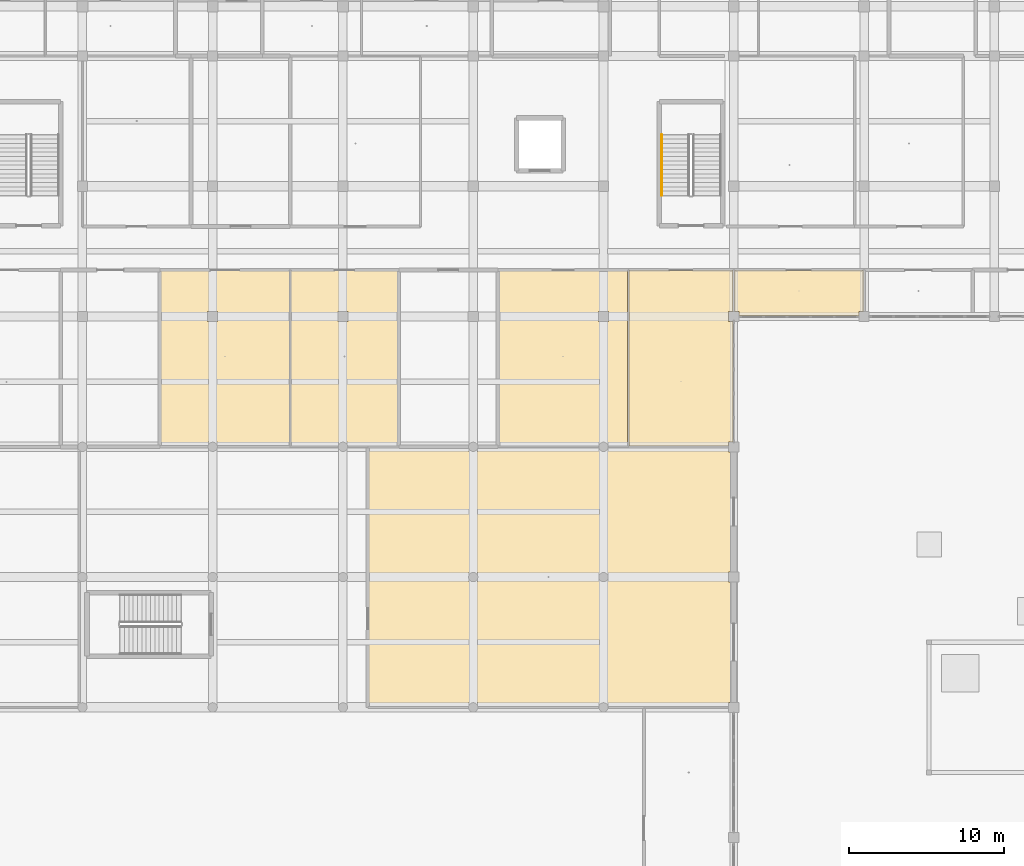
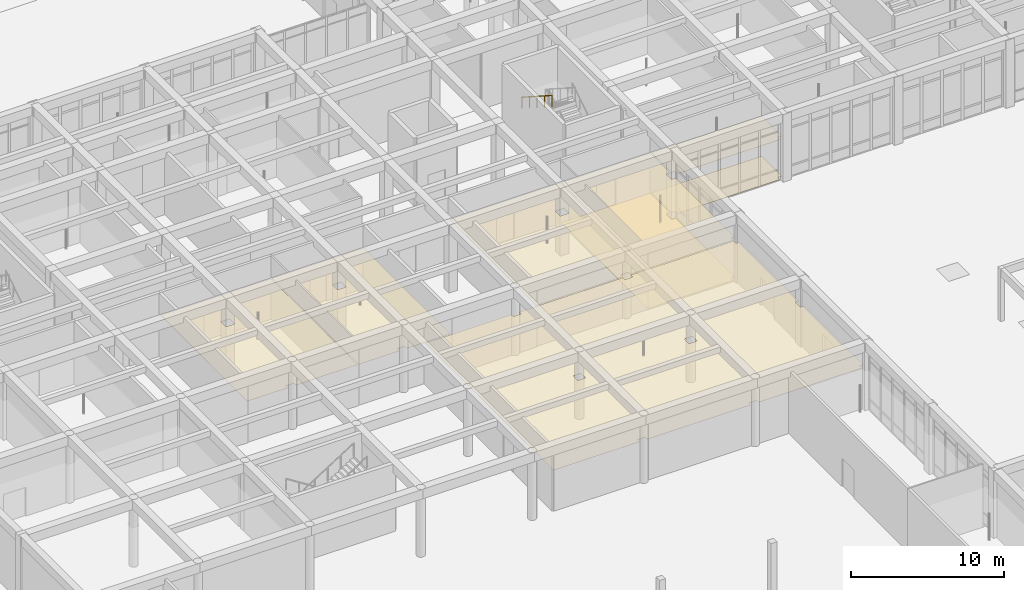
# One storey, part 154 of 167: 8 coverings, 1 railing.
"""IFC4 building model written with IfcOpenShell, lengths in metres."""

from ifc_helpers import new_model, si_unit, direction, frame, origin, origin_2d, place, context, subcontext, project, spatial, polyline, circle, outline, extrude, material, layer, layer_set, type_object, element, save


model = new_model("IFC4")

# Units and contexts
model_context = context("Model", 3, precision=1e-05, world=origin(), true_north=direction((0.0, 1.0)))
body_context = subcontext(model_context, "Body", "Model", "MODEL_VIEW")
ifc_project = project(units=[si_unit("LENGTHUNIT", "METRE"), si_unit("AREAUNIT", "SQUARE_METRE"), si_unit("VOLUMEUNIT", "CUBIC_METRE"), si_unit("PLANEANGLEUNIT", "RADIAN"), si_unit("MASSUNIT", "GRAM", prefix="KILO")], contexts=[model_context])

# Site, building, storey
site_placement = place(None, origin())
site = spatial("IfcSite", under=ifc_project, at=site_placement, CompositionType="ELEMENT")
building_placement = place(site_placement, origin())
building = spatial("IfcBuilding", under=site, at=building_placement, Name="Varncliffe General Hospital", CompositionType="ELEMENT")
storey_placement = place(building_placement, origin())
storey = spatial("IfcBuildingStorey", under=building, at=storey_placement, Name="L00", CompositionType="ELEMENT", Elevation=0.0)

# Coverings
ifc_material_1 = material(Name="Hygienic antimicrobial acoustic suspended ceiling tile", Category="gypsum")
ifc_layer_1 = layer(ifc_material_1, 0.02490234375)
ifc_layer_set_1 = layer_set([ifc_layer_1], Name="Hygienic antimicrobial acoustic suspended ceiling tile")
covering_type_1 = type_object("IfcCoveringType", Name="Antimicrobial Acoustic Suspended Ceiling CLG44", PredefinedType="CEILING", material=ifc_layer_set_1)
covering_1_placement = place(storey_placement, frame((0.0, 0.0, 3.175048828125)))
element("IfcCovering", 1, at=covering_1_placement, inside=storey, type_object=covering_type_1, Name="L00 Winter-Garden Outpatient Waiting Concourse Suspended Ceiling", PredefinedType="CEILING", context=body_context, shape_type="SweptSolid", body=[
    extrude(outline(polyline([(108.89990234375, 74.360107421875), (108.89990234375, 74.10009765625), (109.5, 74.10009765625), (109.5, 74.360107421875), (117.27490234375, 74.360107421875), (117.27490234375, 74.074951171875), (117.56005859375, 74.074951171875), (117.56005859375, 66.324951171875), (117.27490234375, 66.324951171875), (117.27490234375, 65.675048828125), (117.56005859375, 65.675048828125), (117.56005859375, 57.925048828125), (117.27490234375, 57.925048828125), (117.27490234375, 57.639892578125), (109.5, 57.639892578125), (109.5, 57.89990234375), (108.89990234375, 57.89990234375), (108.89990234375, 57.639892578125), (101.10009765625, 57.639892578125), (101.10009765625, 57.89990234375), (100.5, 57.89990234375), (100.5, 57.639892578125), (94.0400390625, 57.639892578125), (94.0400390625, 74.360107421875), (100.5, 74.360107421875), (100.5, 74.10009765625), (101.10009765625, 74.10009765625), (101.10009765625, 74.360107421875), (108.89990234375, 74.360107421875)]), holes=[polyline([(101.10009765625, 65.699951171875), (101.10009765625, 66.300048828125), (100.5, 66.300048828125), (100.5, 65.699951171875), (101.10009765625, 65.699951171875)]), polyline([(109.5, 65.699951171875), (109.5, 66.300048828125), (108.89990234375, 66.300048828125), (108.89990234375, 65.699951171875), (109.5, 65.699951171875)])]), origin(), (0.0, 0.0, 1.0), 0.02490234375),
])
covering_2_placement = place(storey_placement, frame((0.0, 0.0, 3.175048828125)))
element("IfcCovering", 2, at=covering_2_placement, inside=storey, type_object=covering_type_1, Name="L00 Diagnostic Fluoroscopy and X-Ray Suite 71 Suspended Ceiling", PredefinedType="CEILING", context=body_context, shape_type="SweptSolid", body=[
    extrude(outline(polyline([(80.639892578125, 74.43994140625), (80.639892578125, 85.760009765625), (88.9599609375, 85.760009765625), (88.9599609375, 74.43994140625), (84.300048828125, 74.43994140625), (84.300048828125, 74.699951171875), (83.699951171875, 74.699951171875), (83.699951171875, 74.43994140625), (80.639892578125, 74.43994140625)]), holes=[polyline([(84.324951171875, 82.47509765625), (84.324951171875, 83.125), (83.675048828125, 83.125), (83.675048828125, 82.47509765625), (84.324951171875, 82.47509765625)])]), origin(), (0.0, 0.0, 1.0), 0.02490234375),
])
covering_3_placement = place(storey_placement, frame((0.0, 0.0, 3.175048828125)))
element("IfcCovering", 3, at=covering_3_placement, inside=storey, type_object=covering_type_1, Name="L00 Sterile Dispatch and Surgical Prep Room 72 Suspended Ceiling", PredefinedType="CEILING", context=body_context, shape_type="SweptSolid", body=[
    extrude(outline(polyline([(89.0400390625, 74.43994140625), (89.0400390625, 85.760009765625), (95.9599609375, 85.760009765625), (95.9599609375, 74.43994140625), (92.699951171875, 74.43994140625), (92.699951171875, 74.699951171875), (92.10009765625, 74.699951171875), (92.10009765625, 74.43994140625), (89.0400390625, 74.43994140625)]), holes=[polyline([(92.72509765625, 82.47509765625), (92.72509765625, 83.125), (92.074951171875, 83.125), (92.074951171875, 82.47509765625), (92.72509765625, 82.47509765625)])]), origin(), (0.0, 0.0, 1.0), 0.02490234375),
])
covering_4_placement = place(storey_placement, frame((0.0, 0.0, 3.175048828125)))
element("IfcCovering", 4, at=covering_4_placement, inside=storey, type_object=covering_type_1, Name="L00 Diagnostic Fluoroscopy and X-Ray Suite 74 Suspended Ceiling", PredefinedType="CEILING", context=body_context, shape_type="SweptSolid", body=[
    extrude(outline(polyline([(102.43994140625, 74.43994140625), (102.43994140625, 85.760009765625), (110.760009765625, 85.760009765625), (110.760009765625, 74.43994140625), (109.5, 74.43994140625), (109.5, 74.699951171875), (108.89990234375, 74.699951171875), (108.89990234375, 74.43994140625), (102.43994140625, 74.43994140625)]), holes=[polyline([(109.52490234375, 82.47509765625), (109.52490234375, 83.125), (108.875, 83.125), (108.875, 82.47509765625), (109.52490234375, 82.47509765625)])]), origin(), (0.0, 0.0, 1.0), 0.02490234375),
])
covering_5_placement = place(storey_placement, frame((0.0, 0.0, 3.175048828125)))
element("IfcCovering", 5, at=covering_5_placement, inside=storey, type_object=covering_type_1, Name="L00 Sterile Dispatch and Surgical Prep Room 75 Suspended Ceiling", PredefinedType="CEILING", context=body_context, shape_type="SweptSolid", body=[
    extrude(outline(polyline([(110.840087890625, 85.760009765625), (117.56005859375, 85.760009765625), (117.56005859375, 83.125), (117.27490234375, 83.125), (117.27490234375, 82.47509765625), (117.56005859375, 82.47509765625), (117.56005859375, 74.72509765625), (117.27490234375, 74.72509765625), (117.27490234375, 74.43994140625), (110.840087890625, 74.43994140625), (110.840087890625, 85.760009765625)])), origin(), (0.0, 0.0, 1.0), 0.02490234375),
])
covering_6_placement = place(storey_placement, frame((0.0, 0.0, 3.175048828125)))
element("IfcCovering", 6, at=covering_6_placement, inside=storey, type_object=covering_type_1, Name="L00 Diagnostic Fluoroscopy and X-Ray Suite 76 Suspended Ceiling", PredefinedType="CEILING", context=body_context, shape_type="SweptSolid", body=[
    extrude(outline(polyline([(125.9599609375, 85.760009765625), (125.9599609375, 83.125), (125.675048828125, 83.125), (125.675048828125, 82.840087890625), (117.925048828125, 82.840087890625), (117.925048828125, 83.125), (117.639892578125, 83.125), (117.639892578125, 85.760009765625), (125.9599609375, 85.760009765625)])), origin(), (0.0, 0.0, 1.0), 0.02490234375),
])
ifc_material_2 = material(Name="Seamless welded hospital sheet linoleum and terrazzo flooring", Category="linoleum")
ifc_layer_2 = layer(ifc_material_2, 0.011962890625)
ifc_layer_set_2 = layer_set([ifc_layer_2], Name="Seamless welded hospital sheet linoleum and terrazzo flooring")
covering_type_2 = type_object("IfcCoveringType", Name="Seamless Hospital Linoleum Flooring FLR19", PredefinedType="FLOORING", material=ifc_layer_set_2)
covering_7_placement = place(storey_placement, origin())
element("IfcCovering", 7, at=covering_7_placement, inside=storey, type_object=covering_type_2, Name="L00 Sterile Dispatch and Surgical Prep Room 75 Seamless Flooring", PredefinedType="FLOORING", context=body_context, shape_type="SweptSolid", body=[
    extrude(outline(polyline([(110.840087890625, 85.760009765625), (117.56005859375, 85.760009765625), (117.56005859375, 83.125), (117.27490234375, 83.125), (117.27490234375, 82.47509765625), (117.56005859375, 82.47509765625), (117.56005859375, 74.72509765625), (117.27490234375, 74.72509765625), (117.27490234375, 74.43994140625), (110.840087890625, 74.43994140625), (110.840087890625, 85.760009765625)])), origin(), (0.0, 0.0, 1.0), 0.011962890625),
])
covering_8_placement = place(storey_placement, origin())
element("IfcCovering", 8, at=covering_8_placement, inside=storey, type_object=covering_type_2, Name="L00 Diagnostic Fluoroscopy and X-Ray Suite 76 Seamless Flooring", PredefinedType="FLOORING", context=body_context, shape_type="SweptSolid", body=[
    extrude(outline(polyline([(125.9599609375, 85.760009765625), (125.9599609375, 83.125), (125.675048828125, 83.125), (125.675048828125, 82.840087890625), (117.925048828125, 82.840087890625), (117.925048828125, 83.125), (117.639892578125, 83.125), (117.639892578125, 85.760009765625), (125.9599609375, 85.760009765625)])), origin(), (0.0, 0.0, 1.0), 0.011962890625),
])

# Railing
ifc_material_3 = material(Name="Powder-coated hospital steel guardrail and handrail", Category="steel")
railing_type = type_object("IfcRailingType", Name="Stair and Ramp Handrail HR46", PredefinedType="HANDRAIL", material=ifc_material_3)
railing_placement = place(storey_placement, frame((112.949951171875, 94.52001953125, 3.06396484375)))
element("IfcRailing", 9, at=railing_placement, inside=storey, type_object=railing_type, Name="L00 ST06 stair handrail 2", PredefinedType="HANDRAIL", context=body_context, shape_type="SweptSolid", body=[
    extrude(circle(Radius=0.02392578125, at=origin_2d()), frame((0.0, 0.0, 0.8759765625), z_axis=(0.0, -0.841171666519, 0.540768182723), x_axis=(1.0, 0.0, 0.0)), (0.0, 0.0, 1.0), 4.66015625),
    extrude(circle(Radius=0.02099609375, at=origin_2d()), origin(), (0.0, 0.0, 1.0), 0.851806640625),
    extrude(circle(Radius=0.02099609375, at=origin_2d()), frame((0.0, -0.97998046875, 0.6298828125)), (0.0, 0.0, 1.0), 0.851806640625),
    extrude(circle(Radius=0.02099609375, at=origin_2d()), frame((0.0, -1.9599609375, 1.260009765625)), (0.0, 0.0, 1.0), 0.851806640625),
    extrude(circle(Radius=0.02099609375, at=origin_2d()), frame((0.0, -2.93994140625, 1.89013671875)), (0.0, 0.0, 1.0), 0.851806640625),
    extrude(circle(Radius=0.02099609375, at=origin_2d()), frame((0.0, -3.919921875, 2.52001953125)), (0.0, 0.0, 1.0), 0.851806640625),
])

save(model, "model.ifc")
